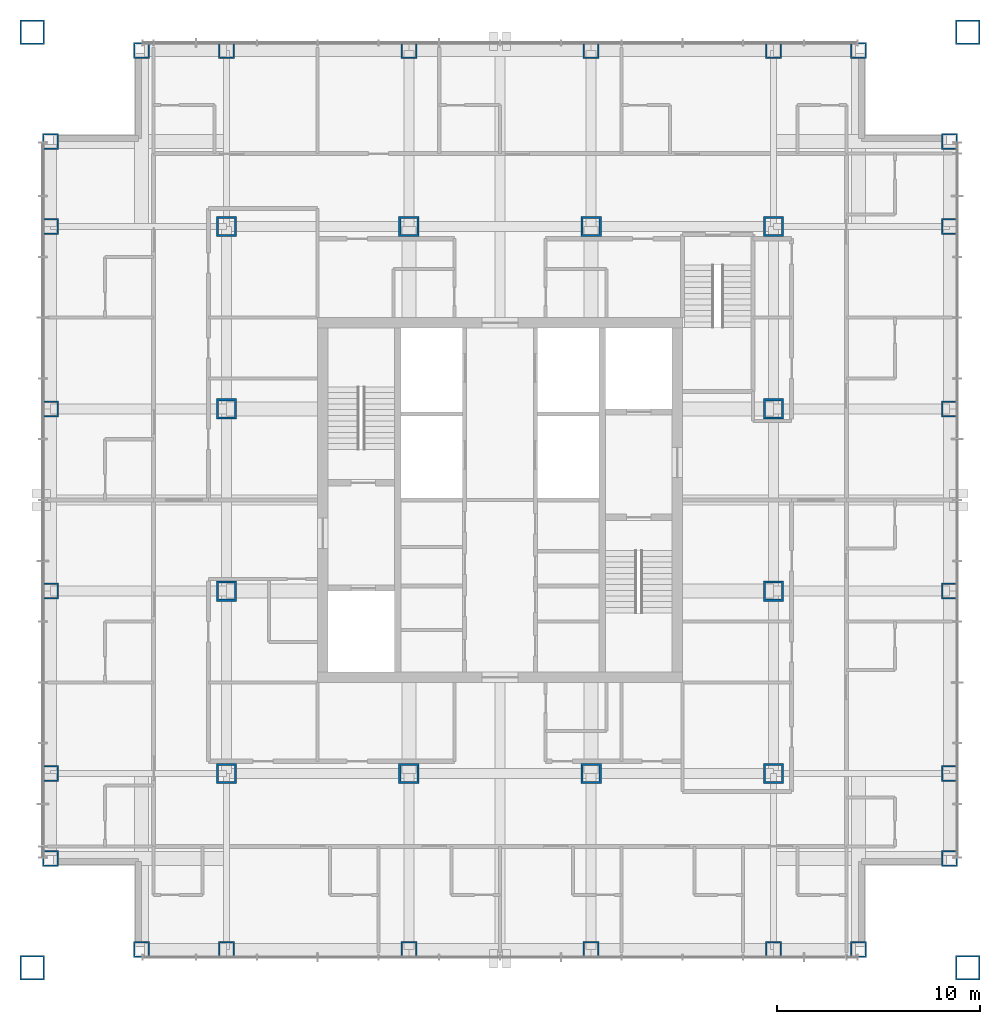
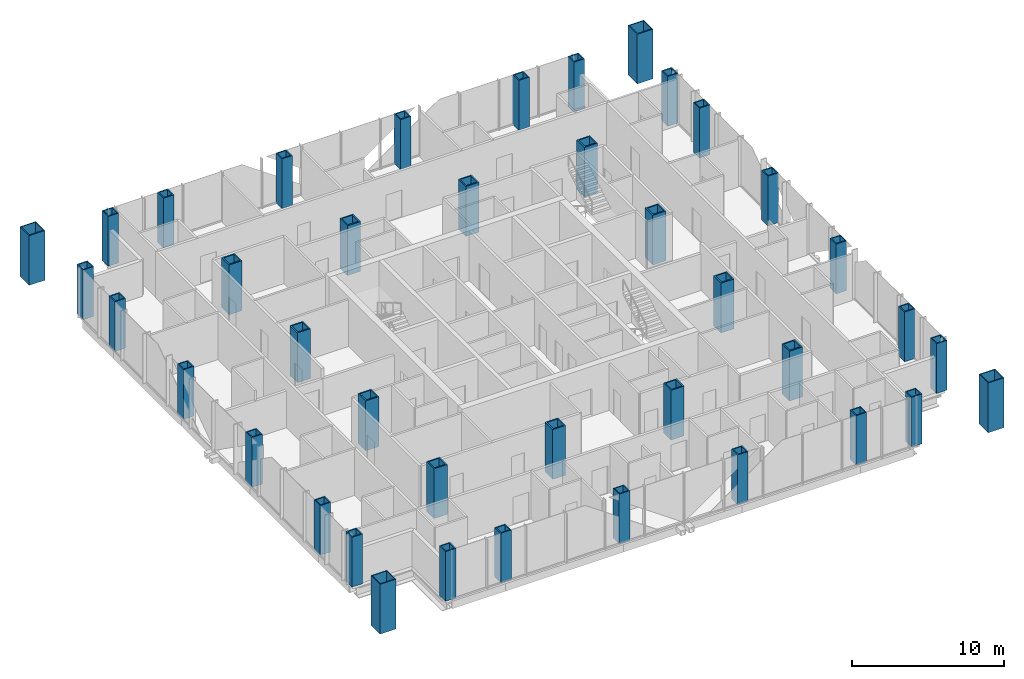
# One storey, part 1 of 17: 40 columns.
"""IFC4 building model written with IfcOpenShell, lengths in metres."""

from ifc_helpers import new_model, si_unit, direction, frame, origin, origin_2d, place, context, subcontext, project, spatial, hollow_rectangle, extrude, material, material_profile, profile_set, type_object, element, save


model = new_model("IFC4")

# Units and contexts
model_context = context("Model", 3, precision=1e-05, world=origin(), true_north=direction((0.0, 1.0)))
body_context = subcontext(model_context, "Body", "Model", "MODEL_VIEW")
ifc_project = project(units=[si_unit("LENGTHUNIT", "METRE"), si_unit("AREAUNIT", "SQUARE_METRE"), si_unit("VOLUMEUNIT", "CUBIC_METRE"), si_unit("PLANEANGLEUNIT", "RADIAN"), si_unit("MASSUNIT", "GRAM", prefix="KILO")], contexts=[model_context])

# Site, building, storey
site_placement = place(None, origin())
site = spatial("IfcSite", under=ifc_project, at=site_placement, CompositionType="ELEMENT")
building_placement = place(site_placement, origin())
building = spatial("IfcBuilding", under=site, at=building_placement, Name="Malebo Sky Hospital", CompositionType="ELEMENT")
storey_placement = place(building_placement, frame((0.0, 0.0, 193.0)))
storey = spatial("IfcBuildingStorey", under=building, at=storey_placement, Name="L46", CompositionType="ELEMENT", Elevation=193.0)

# Columns
ifc_material = material(Name="Steel S460", Category="steel")
ifc_material_profile_1 = material_profile(ifc_material, hollow_rectangle(XDim=1.0, YDim=1.0, WallThickness=0.10009765625, at=origin_2d()), Name="BOX 1000x1000x100")
ifc_profile_set_1 = profile_set([ifc_material_profile_1], Name="Steel S460")
column_type_1 = type_object("IfcColumnType", Name="INNER COLUMN BOX 1000x1000x100", PredefinedType="COLUMN", material=ifc_profile_set_1)
for number, where, z_axis, x_axis, name in (
    (1, (46.5, 48.5, 0.0), (0.0, 0.0, 1.0), (1.0, 0.0, 0.0), "Column IC9 L46"),
    (2, (73.5, 48.5, 0.0), (0.0, 0.0, 1.0), (1.0, 0.0, 0.0), "Column IC9 L46"),
    (3, (73.5, 75.5, 0.0), (0.0, 0.0, 1.0), (1.0, 0.0, 0.0), "Column IC9 L46"),
    (4, (46.5, 75.5, 0.0), (0.0, 0.0, 1.0), (1.0, 0.0, 0.0), "Column IC9 L46"),
    (5, (55.5, 48.5, 0.0), (0.0, 0.0, 1.0), (1.0, 0.0, 0.0), "Column IC9 L46"),
    (6, (64.5, 48.5, 0.0), (0.0, 0.0, 1.0), (1.0, 0.0, 0.0), "Column IC9 L46"),
    (7, (55.5, 75.5, 0.0), (0.0, 0.0, 1.0), (1.0, 0.0, 0.0), "Column IC9 L46"),
    (8, (64.5, 75.5, 0.0), (0.0, 0.0, 1.0), (1.0, 0.0, 0.0), "Column IC9 L46"),
    (9, (46.5, 57.5, 0.0), (0.0, 0.0, 1.0), (1.0, 0.0, 0.0), "Column IC9 L46"),
    (10, (46.5, 66.5, 0.0), (0.0, 0.0, 1.0), (1.0, 0.0, 0.0), "Column IC9 L46"),
    (11, (73.5, 57.5, 0.0), (0.0, 0.0, 1.0), (1.0, 0.0, 0.0), "Column IC9 L46"),
    (12, (73.5, 66.5, 0.0), (0.0, 0.0, 1.0), (1.0, 0.0, 0.0), "Column IC9 L46"),
):
    element("IfcColumn", number, at=place(storey_placement, frame(where, z_axis=z_axis, x_axis=x_axis)), inside=storey, type_object=column_type_1, Name=name, PredefinedType="COLUMN", context=body_context, shape_type="SweptSolid", body=[
        extrude(hollow_rectangle(XDim=1.0, YDim=1.0, WallThickness=0.10009765625, at=origin_2d()), origin(), (0.0, 0.0, 1.0), 4.0),
    ])
ifc_material_profile_2 = material_profile(ifc_material, hollow_rectangle(XDim=1.199951171875, YDim=1.199951171875, WallThickness=0.070068359375, at=origin_2d()), Name="BOX 1200x1200x70")
ifc_profile_set_2 = profile_set([ifc_material_profile_2], Name="Steel S460")
column_type_2 = type_object("IfcColumnType", Name="MEGA COLUMN BOX 1200x1200x70", PredefinedType="COLUMN", material=ifc_profile_set_2)
for number, where, z_axis, x_axis, name in (
    (13, (36.89990234375, 38.89990234375, 0.0), (0.0, 0.0, 1.0), (1.0, 0.0, 0.0), "Mega column SW L46"),
    (14, (83.10009765625, 38.89990234375, 0.0), (0.0, 0.0, 1.0), (1.0, 0.0, 0.0), "Mega column SE L46"),
    (15, (83.10009765625, 85.10009765625, 0.0), (0.0, 0.0, 1.0), (1.0, 0.0, 0.0), "Mega column NE L46"),
    (16, (36.89990234375, 85.10009765625, 0.0), (0.0, 0.0, 1.0), (1.0, 0.0, 0.0), "Mega column NW L46"),
):
    element("IfcColumn", number, at=place(storey_placement, frame(where, z_axis=z_axis, x_axis=x_axis)), inside=storey, type_object=column_type_2, Name=name, PredefinedType="COLUMN", context=body_context, shape_type="SweptSolid", body=[
        extrude(hollow_rectangle(XDim=1.199951171875, YDim=1.199951171875, WallThickness=0.070068359375, at=origin_2d()), origin(), (0.0, 0.0, 1.0), 4.0),
    ])
ifc_material_profile_3 = material_profile(ifc_material, hollow_rectangle(XDim=0.800048828125, YDim=0.800048828125, WallThickness=0.080078125, at=origin_2d()), Name="BOX 800x800x80")
ifc_profile_set_3 = profile_set([ifc_material_profile_3], Name="Steel S460")
column_type_3 = type_object("IfcColumnType", Name="PERIMETER COLUMN BOX 800x800x80", PredefinedType="COLUMN", material=ifc_profile_set_3)
for number, where, z_axis, x_axis, name in (
    (17, (42.300048828125, 39.800048828125, 0.0), (0.0, 0.0, 1.0), (1.0, 0.0, 0.0), "Column PC7 L46"),
    (18, (42.300048828125, 84.199951171875, 0.0), (0.0, 0.0, 1.0), (1.0, 0.0, 0.0), "Column PC7 L46"),
    (19, (37.800048828125, 44.300048828125, 0.0), (0.0, 0.0, 1.0), (1.0, 0.0, 0.0), "Column PC7 L46"),
    (20, (82.199951171875, 44.300048828125, 0.0), (0.0, 0.0, 1.0), (1.0, 0.0, 0.0), "Column PC7 L46"),
    (21, (46.5, 39.800048828125, 0.0), (0.0, 0.0, 1.0), (1.0, 0.0, 0.0), "Column PC7 L46"),
    (22, (46.5, 84.199951171875, 0.0), (0.0, 0.0, 1.0), (1.0, 0.0, 0.0), "Column PC7 L46"),
    (23, (37.800048828125, 48.5, 0.0), (0.0, 0.0, 1.0), (1.0, 0.0, 0.0), "Column PC7 L46"),
    (24, (82.199951171875, 48.5, 0.0), (0.0, 0.0, 1.0), (1.0, 0.0, 0.0), "Column PC7 L46"),
    (25, (55.5, 39.800048828125, 0.0), (0.0, 0.0, 1.0), (1.0, 0.0, 0.0), "Column PC7 L46"),
    (26, (55.5, 84.199951171875, 0.0), (0.0, 0.0, 1.0), (1.0, 0.0, 0.0), "Column PC7 L46"),
    (27, (37.800048828125, 57.5, 0.0), (0.0, 0.0, 1.0), (1.0, 0.0, 0.0), "Column PC7 L46"),
    (28, (82.199951171875, 57.5, 0.0), (0.0, 0.0, 1.0), (1.0, 0.0, 0.0), "Column PC7 L46"),
    (29, (64.5, 39.800048828125, 0.0), (0.0, 0.0, 1.0), (1.0, 0.0, 0.0), "Column PC7 L46"),
    (30, (64.5, 84.199951171875, 0.0), (0.0, 0.0, 1.0), (1.0, 0.0, 0.0), "Column PC7 L46"),
    (31, (37.800048828125, 66.5, 0.0), (0.0, 0.0, 1.0), (1.0, 0.0, 0.0), "Column PC7 L46"),
    (32, (82.199951171875, 66.5, 0.0), (0.0, 0.0, 1.0), (1.0, 0.0, 0.0), "Column PC7 L46"),
    (33, (73.5, 39.800048828125, 0.0), (0.0, 0.0, 1.0), (1.0, 0.0, 0.0), "Column PC7 L46"),
    (34, (73.5, 84.199951171875, 0.0), (0.0, 0.0, 1.0), (1.0, 0.0, 0.0), "Column PC7 L46"),
    (35, (37.800048828125, 75.5, 0.0), (0.0, 0.0, 1.0), (1.0, 0.0, 0.0), "Column PC7 L46"),
    (36, (82.199951171875, 75.5, 0.0), (0.0, 0.0, 1.0), (1.0, 0.0, 0.0), "Column PC7 L46"),
    (37, (77.699951171875, 39.800048828125, 0.0), (0.0, 0.0, 1.0), (1.0, 0.0, 0.0), "Column PC7 L46"),
    (38, (77.699951171875, 84.199951171875, 0.0), (0.0, 0.0, 1.0), (1.0, 0.0, 0.0), "Column PC7 L46"),
    (39, (37.800048828125, 79.699951171875, 0.0), (0.0, 0.0, 1.0), (1.0, 0.0, 0.0), "Column PC7 L46"),
    (40, (82.199951171875, 79.699951171875, 0.0), (0.0, 0.0, 1.0), (1.0, 0.0, 0.0), "Column PC7 L46"),
):
    element("IfcColumn", number, at=place(storey_placement, frame(where, z_axis=z_axis, x_axis=x_axis)), inside=storey, type_object=column_type_3, Name=name, PredefinedType="COLUMN", context=body_context, shape_type="SweptSolid", body=[
        extrude(hollow_rectangle(XDim=0.800048828125, YDim=0.800048828125, WallThickness=0.080078125, at=origin_2d()), origin(), (0.0, 0.0, 1.0), 4.0),
    ])

save(model, "model.ifc")
